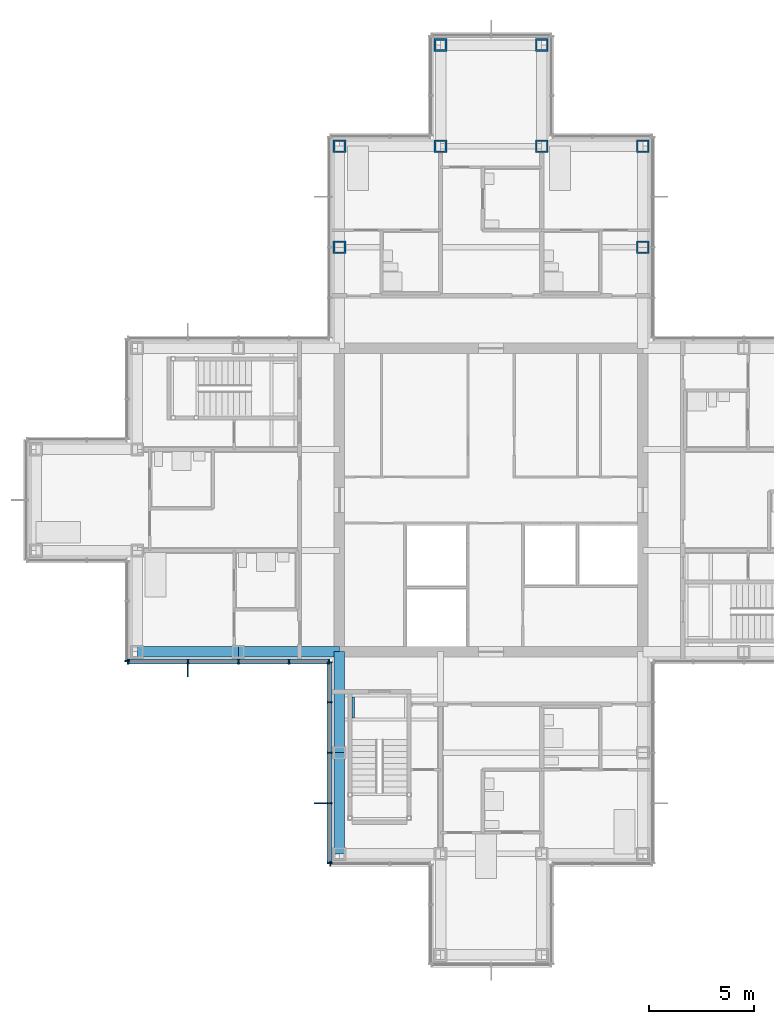
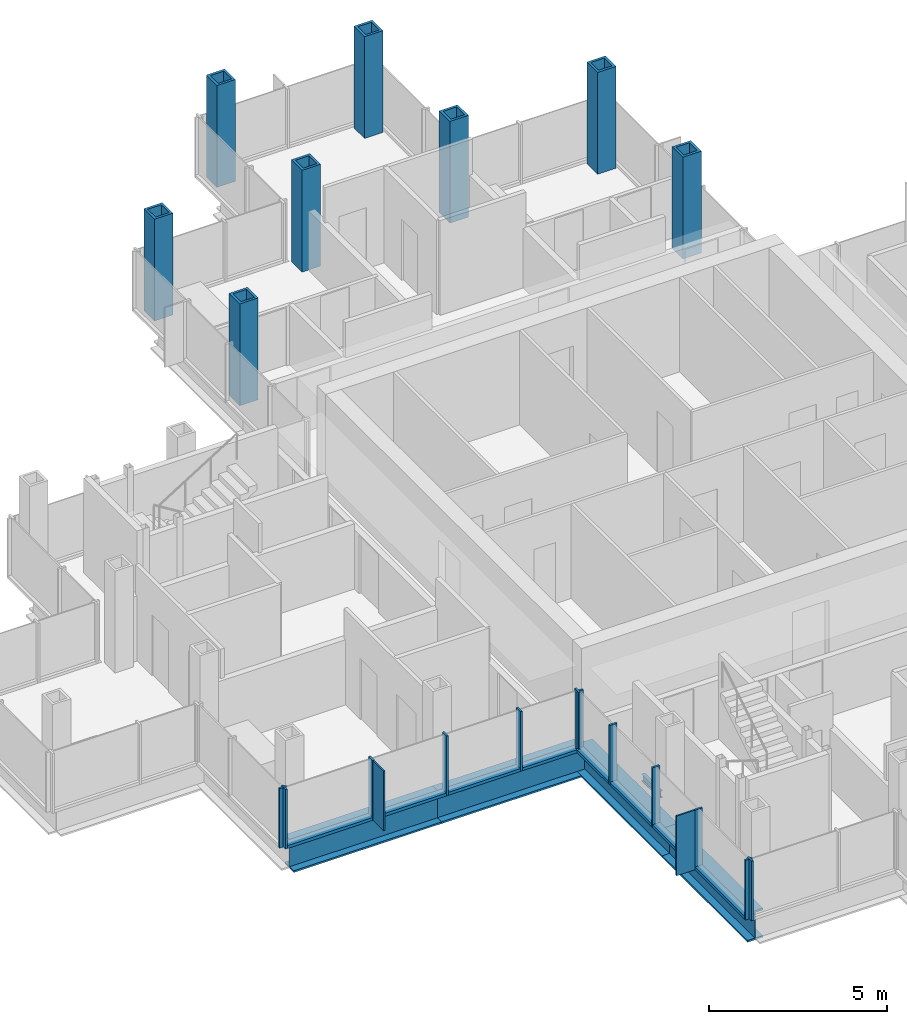
# One storey, part 5 of 17: 22 members, 8 columns, 5 beams, 4 elements without a shape of their own.
"""IFC4 building model written with IfcOpenShell, lengths in metres."""

from ifc_helpers import new_model, si_unit, direction, frame, origin, origin_2d, place, context, subcontext, project, spatial, rectangle, hollow_rectangle, i_section, extrude, material, material_profile, profile_set, type_object, element, aggregate, save


model = new_model("IFC4")

# Units and contexts
model_context = context("Model", 3, precision=1e-05, world=origin(), true_north=direction((0.0, 1.0)))
body_context = subcontext(model_context, "Body", "Model", "MODEL_VIEW")
ifc_project = project(units=[si_unit("LENGTHUNIT", "METRE"), si_unit("AREAUNIT", "SQUARE_METRE"), si_unit("VOLUMEUNIT", "CUBIC_METRE"), si_unit("PLANEANGLEUNIT", "RADIAN"), si_unit("MASSUNIT", "GRAM", prefix="KILO")], contexts=[model_context])

# Site, building, storey
site_placement = place(None, origin())
site = spatial("IfcSite", under=ifc_project, at=site_placement, CompositionType="ELEMENT")
building_placement = place(site_placement, origin())
building = spatial("IfcBuilding", under=site, at=building_placement, Name="Kvirike Care Tower", CompositionType="ELEMENT")
storey_placement = place(building_placement, frame((0.0, 0.0, 186.5)))
storey = spatial("IfcBuildingStorey", under=building, at=storey_placement, Name="L51", CompositionType="ELEMENT", Elevation=186.5)

# Columns
ifc_material_1 = material(Name="Steel S460", Category="steel")
ifc_material_profile_1 = material_profile(ifc_material_1, hollow_rectangle(XDim=0.60009765625, YDim=0.60009765625, WallThickness=0.080078125, at=origin_2d()), Name="BX 600x600x80")
ifc_profile_set_1 = profile_set([ifc_material_profile_1], Name="Steel S460")
column_type = type_object("IfcColumnType", Name="COLUMN BX 600x600x80", PredefinedType="COLUMN", material=ifc_profile_set_1)
for number, where, z_axis, x_axis, name in (
    (1, (14.39990234375, 48.0, 0.0), (0.0, 0.0, 1.0), (1.0, 0.0, 0.0), "Column L6 L51"),
    (2, (14.39990234375, 52.800048828125, 0.0), (0.0, 0.0, 1.0), (0.0, 1.0, 0.0), "Column M6 L51"),
    (3, (19.199951171875, 52.800048828125, 0.0), (0.0, 0.0, 1.0), (0.0, 1.0, 0.0), "Column M7 L51"),
    (4, (19.199951171875, 57.60009765625, 0.0), (0.0, 0.0, 1.0), (0.0, 1.0, 0.0), "Column N7 L51"),
    (5, (24.0, 52.800048828125, 0.0), (0.0, 0.0, 1.0), (0.0, 1.0, 0.0), "Column M8 L51"),
    (6, (24.0, 57.60009765625, 0.0), (0.0, 0.0, 1.0), (0.0, 1.0, 0.0), "Column N8 L51"),
    (7, (28.800048828125, 48.0, 0.0), (0.0, 0.0, 1.0), (1.0, 0.0, 0.0), "Column L9 L51"),
    (8, (28.800048828125, 52.800048828125, 0.0), (0.0, 0.0, 1.0), (0.0, 1.0, 0.0), "Column M9 L51"),
):
    element("IfcColumn", number, at=place(storey_placement, frame(where, z_axis=z_axis, x_axis=x_axis)), inside=storey, type_object=column_type, Name=name, PredefinedType="COLUMN", context=body_context, shape_type="SweptSolid", body=[
        extrude(hollow_rectangle(XDim=0.60009765625, YDim=0.60009765625, WallThickness=0.080078125, at=origin_2d()), origin(), (0.0, 0.0, 1.0), 3.5),
    ])

# Curtain wall, member
ifc_material_2 = material(Name="Anodised aluminium stick system", Category="aluminium")
curtain_wall_type = type_object("IfcCurtainWallType", Name="CW-C STICK CURTAIN WALL", PredefinedType="NOTDEFINED", material=ifc_material_2)
curtain_wall_1_placement = place(storey_placement, origin())
curtain_wall_1 = element("IfcCurtainWall", 9, at=curtain_wall_1_placement, inside=storey, type_object=curtain_wall_type, Name="Curtain wall L51 face 21", PredefinedType="NOTDEFINED")
ifc_material_3 = material(Name="Bronze anodised aluminium fin", Category="aluminium")
ifc_material_profile_2 = material_profile(ifc_material_3, rectangle(XDim=0.050048828125, YDim=0.60009765625, at=origin_2d()), Name="BRONZE FIN 600")
ifc_profile_set_2 = profile_set([ifc_material_profile_2], Name="Bronze anodised aluminium fin")
member_type_1 = type_object("IfcMemberType", Name="BRONZE FIN 600", PredefinedType="USERDEFINED", material=ifc_profile_set_2)
member_1_placement = place(storey_placement, frame((7.199951171875, 27.909912109375, 0.0), z_axis=(0.0, 0.0, 1.0), x_axis=(1.0, 0.0, 0.0)))
member_1 = element("IfcMember", 10, at=member_1_placement, type_object=member_type_1, Name="Bronze fin L51 face 21.2", ObjectType="FIN", PredefinedType="USERDEFINED", context=body_context, shape_type="SweptSolid", body=[
    extrude(rectangle(XDim=0.050048828125, YDim=0.60009765625, at=origin_2d()), origin(), (0.0, 0.0, 1.0), 2.050048828125),
])

curtain_wall_2_placement = place(storey_placement, origin())
curtain_wall_2 = element("IfcCurtainWall", 11, at=curtain_wall_2_placement, inside=storey, type_object=curtain_wall_type, Name="Curtain wall L51 face 22", PredefinedType="NOTDEFINED")
member_2_placement = place(storey_placement, frame((13.510009765625, 21.60009765625, 0.0), z_axis=(0.0, 0.0, 1.0), x_axis=(0.0, -1.0, 0.0)))
member_2 = element("IfcMember", 12, at=member_2_placement, type_object=member_type_1, Name="Bronze fin L51 face 22.4", ObjectType="FIN", PredefinedType="USERDEFINED", context=body_context, shape_type="SweptSolid", body=[
    extrude(rectangle(XDim=0.050048828125, YDim=0.60009765625, at=origin_2d()), origin(), (0.0, 0.0, 1.0), 2.050048828125),
])

curtain_wall_3_placement = place(storey_placement, origin())
curtain_wall_3 = element("IfcCurtainWall", 13, at=curtain_wall_3_placement, inside=storey, type_object=curtain_wall_type, Name="Curtain wall L51 face 20", PredefinedType="NOTDEFINED")
ifc_material_4 = material(Name="Bronze anodised aluminium mullion", Category="aluminium")
ifc_material_profile_3 = material_profile(ifc_material_4, rectangle(XDim=0.06494140625, YDim=0.239990234375, at=origin_2d()), Name="CW-C MULLION 65x240")
ifc_profile_set_3 = profile_set([ifc_material_profile_3], Name="Bronze anodised aluminium mullion")
member_type_2 = type_object("IfcMemberType", Name="CW-C MULLION 65x240", PredefinedType="MULLION", material=ifc_profile_set_3)
member_3_placement = place(storey_placement, frame((4.330078125, 28.362548828125, 0.0), z_axis=(0.0, 0.0, 1.0), x_axis=(0.0, -1.0, 0.0)))
member_3 = element("IfcMember", 14, at=member_3_placement, type_object=member_type_2, Name="CW-C mullion L51 face 20.3", PredefinedType="MULLION", context=body_context, shape_type="SweptSolid", body=[
    extrude(rectangle(XDim=0.06494140625, YDim=0.239990234375, at=origin_2d()), origin(), (0.0, 0.0, 1.0), 2.050048828125),
])
aggregate(curtain_wall_3, [member_3])

# Member
member_4_placement = place(storey_placement, frame((4.362548828125, 28.330078125, 0.0), z_axis=(0.0, 0.0, 1.0), x_axis=(1.0, 0.0, 0.0)))
member_4 = element("IfcMember", 15, at=member_4_placement, type_object=member_type_2, Name="CW-C mullion L51 face 21.1", PredefinedType="MULLION", context=body_context, shape_type="SweptSolid", body=[
    extrude(rectangle(XDim=0.06494140625, YDim=0.239990234375, at=origin_2d()), origin(), (0.0, 0.0, 1.0), 2.050048828125),
])

member_5_placement = place(storey_placement, frame((7.199951171875, 28.330078125, 0.0), z_axis=(0.0, 0.0, 1.0), x_axis=(1.0, 0.0, 0.0)))
member_5 = element("IfcMember", 16, at=member_5_placement, type_object=member_type_2, Name="CW-C mullion L51 face 21.2", PredefinedType="MULLION", context=body_context, shape_type="SweptSolid", body=[
    extrude(rectangle(XDim=0.06494140625, YDim=0.239990234375, at=origin_2d()), origin(), (0.0, 0.0, 1.0), 2.050048828125),
])

member_6_placement = place(storey_placement, frame((9.60009765625, 28.330078125, 0.0), z_axis=(0.0, 0.0, 1.0), x_axis=(1.0, 0.0, 0.0)))
member_6 = element("IfcMember", 17, at=member_6_placement, type_object=member_type_2, Name="CW-C mullion L51 face 21.3", PredefinedType="MULLION", context=body_context, shape_type="SweptSolid", body=[
    extrude(rectangle(XDim=0.06494140625, YDim=0.239990234375, at=origin_2d()), origin(), (0.0, 0.0, 1.0), 2.050048828125),
])

member_7_placement = place(storey_placement, frame((12.0, 28.330078125, 0.0), z_axis=(0.0, 0.0, 1.0), x_axis=(1.0, 0.0, 0.0)))
member_7 = element("IfcMember", 18, at=member_7_placement, type_object=member_type_2, Name="CW-C mullion L51 face 21.4", PredefinedType="MULLION", context=body_context, shape_type="SweptSolid", body=[
    extrude(rectangle(XDim=0.06494140625, YDim=0.239990234375, at=origin_2d()), origin(), (0.0, 0.0, 1.0), 2.050048828125),
])

member_8_placement = place(storey_placement, frame((13.8974609375, 28.330078125, 0.0), z_axis=(0.0, 0.0, 1.0), x_axis=(1.0, 0.0, 0.0)))
member_8 = element("IfcMember", 19, at=member_8_placement, type_object=member_type_2, Name="CW-C mullion L51 face 21.5", PredefinedType="MULLION", context=body_context, shape_type="SweptSolid", body=[
    extrude(rectangle(XDim=0.06494140625, YDim=0.239990234375, at=origin_2d()), origin(), (0.0, 0.0, 1.0), 2.050048828125),
])

member_9_placement = place(storey_placement, frame((13.929931640625, 28.297607421875, 0.0), z_axis=(0.0, 0.0, 1.0), x_axis=(0.0, -1.0, 0.0)))
member_9 = element("IfcMember", 20, at=member_9_placement, type_object=member_type_2, Name="CW-C mullion L51 face 22.1", PredefinedType="MULLION", context=body_context, shape_type="SweptSolid", body=[
    extrude(rectangle(XDim=0.06494140625, YDim=0.239990234375, at=origin_2d()), origin(), (0.0, 0.0, 1.0), 2.050048828125),
])

member_10_placement = place(storey_placement, frame((13.929931640625, 26.39990234375, 0.0), z_axis=(0.0, 0.0, 1.0), x_axis=(0.0, -1.0, 0.0)))
member_10 = element("IfcMember", 21, at=member_10_placement, type_object=member_type_2, Name="CW-C mullion L51 face 22.2", PredefinedType="MULLION", context=body_context, shape_type="SweptSolid", body=[
    extrude(rectangle(XDim=0.06494140625, YDim=0.239990234375, at=origin_2d()), origin(), (0.0, 0.0, 1.0), 2.050048828125),
])

member_11_placement = place(storey_placement, frame((13.929931640625, 24.0, 0.0), z_axis=(0.0, 0.0, 1.0), x_axis=(0.0, -1.0, 0.0)))
member_11 = element("IfcMember", 22, at=member_11_placement, type_object=member_type_2, Name="CW-C mullion L51 face 22.3", PredefinedType="MULLION", context=body_context, shape_type="SweptSolid", body=[
    extrude(rectangle(XDim=0.06494140625, YDim=0.239990234375, at=origin_2d()), origin(), (0.0, 0.0, 1.0), 2.050048828125),
])

member_12_placement = place(storey_placement, frame((13.929931640625, 21.60009765625, 0.0), z_axis=(0.0, 0.0, 1.0), x_axis=(0.0, -1.0, 0.0)))
member_12 = element("IfcMember", 23, at=member_12_placement, type_object=member_type_2, Name="CW-C mullion L51 face 22.4", PredefinedType="MULLION", context=body_context, shape_type="SweptSolid", body=[
    extrude(rectangle(XDim=0.06494140625, YDim=0.239990234375, at=origin_2d()), origin(), (0.0, 0.0, 1.0), 2.050048828125),
])

member_13_placement = place(storey_placement, frame((13.929931640625, 18.762451171875, 0.0), z_axis=(0.0, 0.0, 1.0), x_axis=(0.0, -1.0, 0.0)))
member_13 = element("IfcMember", 24, at=member_13_placement, type_object=member_type_2, Name="CW-C mullion L51 face 22.5", PredefinedType="MULLION", context=body_context, shape_type="SweptSolid", body=[
    extrude(rectangle(XDim=0.06494140625, YDim=0.239990234375, at=origin_2d()), origin(), (0.0, 0.0, 1.0), 2.050048828125),
])

# Curtain wall, member
curtain_wall_4_placement = place(storey_placement, origin())
curtain_wall_4 = element("IfcCurtainWall", 25, at=curtain_wall_4_placement, inside=storey, type_object=curtain_wall_type, Name="Curtain wall L51 face 23", PredefinedType="NOTDEFINED")
member_14_placement = place(storey_placement, frame((13.96240234375, 18.72998046875, 0.0), z_axis=(0.0, 0.0, 1.0), x_axis=(1.0, 0.0, 0.0)))
member_14 = element("IfcMember", 26, at=member_14_placement, type_object=member_type_2, Name="CW-C mullion L51 face 23.1", PredefinedType="MULLION", context=body_context, shape_type="SweptSolid", body=[
    extrude(rectangle(XDim=0.06494140625, YDim=0.239990234375, at=origin_2d()), origin(), (0.0, 0.0, 1.0), 2.050048828125),
])
aggregate(curtain_wall_4, [member_14])

# Member
ifc_material_5 = material(Name="Bronze anodised aluminium transom", Category="aluminium")
ifc_material_profile_4 = material_profile(ifc_material_5, rectangle(XDim=0.239990234375, YDim=0.10009765625, at=origin_2d()), Name="CW-C TRANSOM 240x100")
ifc_profile_set_4 = profile_set([ifc_material_profile_4], Name="Bronze anodised aluminium transom")
member_type_3 = type_object("IfcMemberType", Name="CW-C TRANSOM 240x100", PredefinedType="USERDEFINED", material=ifc_profile_set_4)
member_15_placement = place(storey_placement, frame((4.39501953125, 28.330078125, 0.050048828125), z_axis=(1.0, 0.0, 0.0), x_axis=(0.0, 1.0, 0.0)))
member_15 = element("IfcMember", 27, at=member_15_placement, type_object=member_type_3, Name="CW-C sill transom L51 face 21.1", ObjectType="TRANSOM", PredefinedType="USERDEFINED", context=body_context, shape_type="SweptSolid", body=[
    extrude(rectangle(XDim=0.239990234375, YDim=0.10009765625, at=origin_2d()), origin(), (0.0, 0.0, 1.0), 2.7724609375),
])

member_16_placement = place(storey_placement, frame((7.232421875, 28.330078125, 0.050048828125), z_axis=(1.0, 0.0, 0.0), x_axis=(0.0, 1.0, 0.0)))
member_16 = element("IfcMember", 28, at=member_16_placement, type_object=member_type_3, Name="CW-C sill transom L51 face 21.2", ObjectType="TRANSOM", PredefinedType="USERDEFINED", context=body_context, shape_type="SweptSolid", body=[
    extrude(rectangle(XDim=0.239990234375, YDim=0.10009765625, at=origin_2d()), origin(), (0.0, 0.0, 1.0), 2.3349609375),
])

member_17_placement = place(storey_placement, frame((9.632568359375, 28.330078125, 0.050048828125), z_axis=(1.0, 0.0, 0.0), x_axis=(0.0, 1.0, 0.0)))
member_17 = element("IfcMember", 29, at=member_17_placement, type_object=member_type_3, Name="CW-C sill transom L51 face 21.3", ObjectType="TRANSOM", PredefinedType="USERDEFINED", context=body_context, shape_type="SweptSolid", body=[
    extrude(rectangle(XDim=0.239990234375, YDim=0.10009765625, at=origin_2d()), origin(), (0.0, 0.0, 1.0), 2.3349609375),
])

member_18_placement = place(storey_placement, frame((12.032470703125, 28.330078125, 0.050048828125), z_axis=(1.0, 0.0, 0.0), x_axis=(0.0, 1.0, 0.0)))
member_18 = element("IfcMember", 30, at=member_18_placement, type_object=member_type_3, Name="CW-C sill transom L51 face 21.4", ObjectType="TRANSOM", PredefinedType="USERDEFINED", context=body_context, shape_type="SweptSolid", body=[
    extrude(rectangle(XDim=0.239990234375, YDim=0.10009765625, at=origin_2d()), origin(), (0.0, 0.0, 1.0), 1.83251953125),
])

aggregate(curtain_wall_1, [member_4, member_5, member_1, member_6, member_7, member_8, member_15, member_16, member_17, member_18])

member_19_placement = place(storey_placement, frame((13.929931640625, 28.264892578125, 0.050048828125), z_axis=(0.0, -1.0, 0.0), x_axis=(1.0, 0.0, 0.0)))
member_19 = element("IfcMember", 31, at=member_19_placement, type_object=member_type_3, Name="CW-C sill transom L51 face 22.1", ObjectType="TRANSOM", PredefinedType="USERDEFINED", context=body_context, shape_type="SweptSolid", body=[
    extrude(rectangle(XDim=0.239990234375, YDim=0.10009765625, at=origin_2d()), origin(), (0.0, 0.0, 1.0), 1.832275390625),
])

member_20_placement = place(storey_placement, frame((13.929931640625, 26.367431640625, 0.050048828125), z_axis=(0.0, -1.0, 0.0), x_axis=(1.0, 0.0, 0.0)))
member_20 = element("IfcMember", 32, at=member_20_placement, type_object=member_type_3, Name="CW-C sill transom L51 face 22.2", ObjectType="TRANSOM", PredefinedType="USERDEFINED", context=body_context, shape_type="SweptSolid", body=[
    extrude(rectangle(XDim=0.239990234375, YDim=0.10009765625, at=origin_2d()), origin(), (0.0, 0.0, 1.0), 2.3349609375),
])

member_21_placement = place(storey_placement, frame((13.929931640625, 23.967529296875, 0.050048828125), z_axis=(0.0, -1.0, 0.0), x_axis=(1.0, 0.0, 0.0)))
member_21 = element("IfcMember", 33, at=member_21_placement, type_object=member_type_3, Name="CW-C sill transom L51 face 22.3", ObjectType="TRANSOM", PredefinedType="USERDEFINED", context=body_context, shape_type="SweptSolid", body=[
    extrude(rectangle(XDim=0.239990234375, YDim=0.10009765625, at=origin_2d()), origin(), (0.0, 0.0, 1.0), 2.3349609375),
])

member_22_placement = place(storey_placement, frame((13.929931640625, 21.5673828125, 0.050048828125), z_axis=(0.0, -1.0, 0.0), x_axis=(1.0, 0.0, 0.0)))
member_22 = element("IfcMember", 34, at=member_22_placement, type_object=member_type_3, Name="CW-C sill transom L51 face 22.4", ObjectType="TRANSOM", PredefinedType="USERDEFINED", context=body_context, shape_type="SweptSolid", body=[
    extrude(rectangle(XDim=0.239990234375, YDim=0.10009765625, at=origin_2d()), origin(), (0.0, 0.0, 1.0), 2.7724609375),
])

aggregate(curtain_wall_2, [member_9, member_10, member_11, member_12, member_2, member_13, member_19, member_20, member_21, member_22])

# Beams
ifc_material_6 = material(Name="Steel S355", Category="steel")
ifc_material_profile_5 = material_profile(ifc_material_6, i_section(OverallWidth=0.5, OverallDepth=1.0, WebThickness=0.030029296875, FlangeThickness=0.06005859375, at=origin_2d()), Name="PG 1000x500x30x60")
ifc_profile_set_5 = profile_set([ifc_material_profile_5], Name="Steel S355")
beam_type_1 = type_object("IfcBeamType", Name="SPANDREL PG 1000x500x30x60", PredefinedType="SPANDREL", material=ifc_profile_set_5)
beam_1_placement = place(storey_placement, frame((4.800048828125, 28.800048828125, -0.669921875), z_axis=(1.0, 0.0, 0.0), x_axis=(0.0, 1.0, 0.0)))
element("IfcBeam", 35, at=beam_1_placement, inside=storey, type_object=beam_type_1, Name="Spandrel G4-G5 L51", PredefinedType="SPANDREL", context=body_context, shape_type="SweptSolid", body=[
    extrude(i_section(OverallWidth=0.5, OverallDepth=1.0, WebThickness=0.030029296875, FlangeThickness=0.06005859375, at=origin_2d()), origin(), (0.0, 0.0, 1.0), 4.800048828125),
])
beam_2_placement = place(storey_placement, frame((9.60009765625, 28.800048828125, -0.669921875), z_axis=(1.0, 0.0, 0.0), x_axis=(0.0, 1.0, 0.0)))
element("IfcBeam", 36, at=beam_2_placement, inside=storey, type_object=beam_type_1, Name="Spandrel G5-G6 L51", PredefinedType="SPANDREL", context=body_context, shape_type="SweptSolid", body=[
    extrude(i_section(OverallWidth=0.5, OverallDepth=1.0, WebThickness=0.030029296875, FlangeThickness=0.06005859375, at=origin_2d()), origin(), (0.0, 0.0, 1.0), 4.7998046875),
])
for number, where, z_axis, x_axis, name in (
    (37, (14.39990234375, 19.199951171875, -0.669921875), (0.0, 1.0, 0.0), (-1.0, 0.0, 0.0), "Spandrel E6-F6 L51"),
    (38, (14.39990234375, 24.0, -0.669921875), (0.0, 1.0, 0.0), (-1.0, 0.0, 0.0), "Spandrel F6-G6 L51"),
):
    element("IfcBeam", number, at=place(storey_placement, frame(where, z_axis=z_axis, x_axis=x_axis)), inside=storey, type_object=beam_type_1, Name=name, PredefinedType="SPANDREL", context=body_context, shape_type="SweptSolid", body=[
        extrude(i_section(OverallWidth=0.5, OverallDepth=1.0, WebThickness=0.030029296875, FlangeThickness=0.06005859375, at=origin_2d()), origin(), (0.0, 0.0, 1.0), 4.800048828125),
    ])
ifc_material_7 = material(Name="Steel S355", Category="steel")
ifc_material_profile_6 = material_profile(ifc_material_7, i_section(OverallWidth=0.1201171875, OverallDepth=0.239990234375, WebThickness=0.006103515625, FlangeThickness=0.009765625, FilletRadius=0.014892578125, at=origin_2d()), Name="IPE 240")
ifc_profile_set_6 = profile_set([ifc_material_profile_6], Name="Steel S355")
beam_type_2 = type_object("IfcBeamType", Name="STAIR LANDING BEAM IPE 240", PredefinedType="BEAM", material=ifc_profile_set_6)
beam_3_placement = place(storey_placement, frame((15.06005859375, 25.64990234375, -0.320068359375), z_axis=(0.0, 1.0, 0.0), x_axis=(-1.0, 0.0, 0.0)))
element("IfcBeam", 39, at=beam_3_placement, inside=storey, type_object=beam_type_2, Name="Stair 5 landing edge beam 1 L51", PredefinedType="BEAM", context=body_context, shape_type="SweptSolid", body=[
    extrude(i_section(OverallWidth=0.1201171875, OverallDepth=0.239990234375, WebThickness=0.006103515625, FlangeThickness=0.009765625, FilletRadius=0.014892578125, at=origin_2d()), origin(), (0.0, 0.0, 1.0), 1.0),
])

save(model, "model.ifc")
